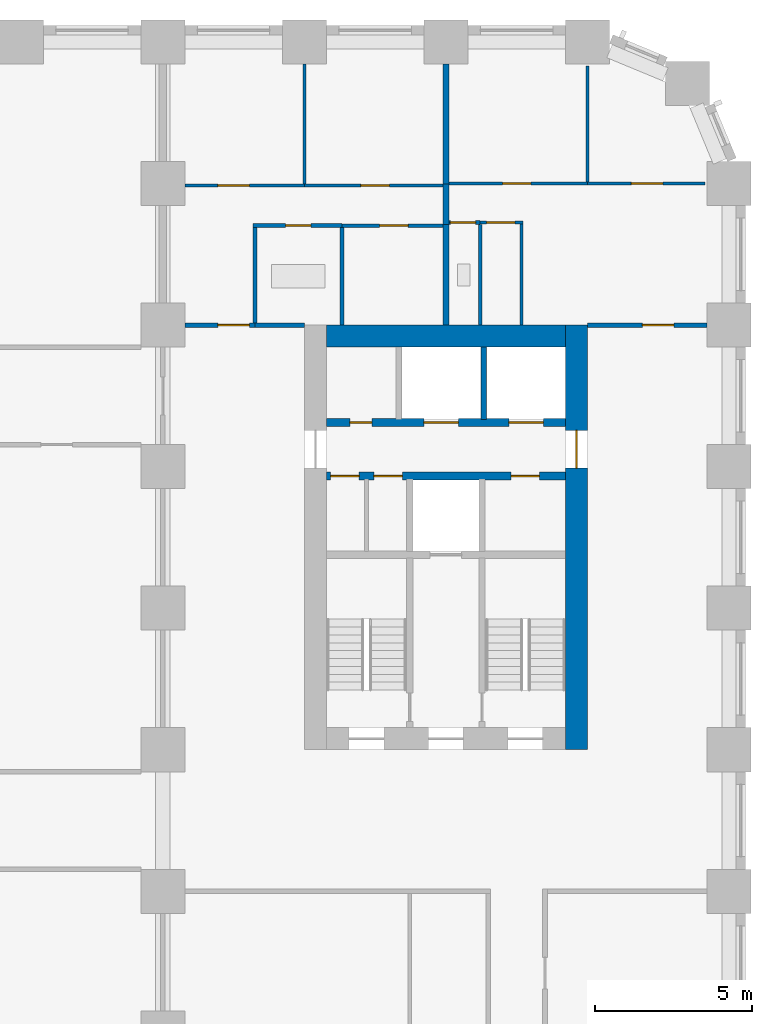
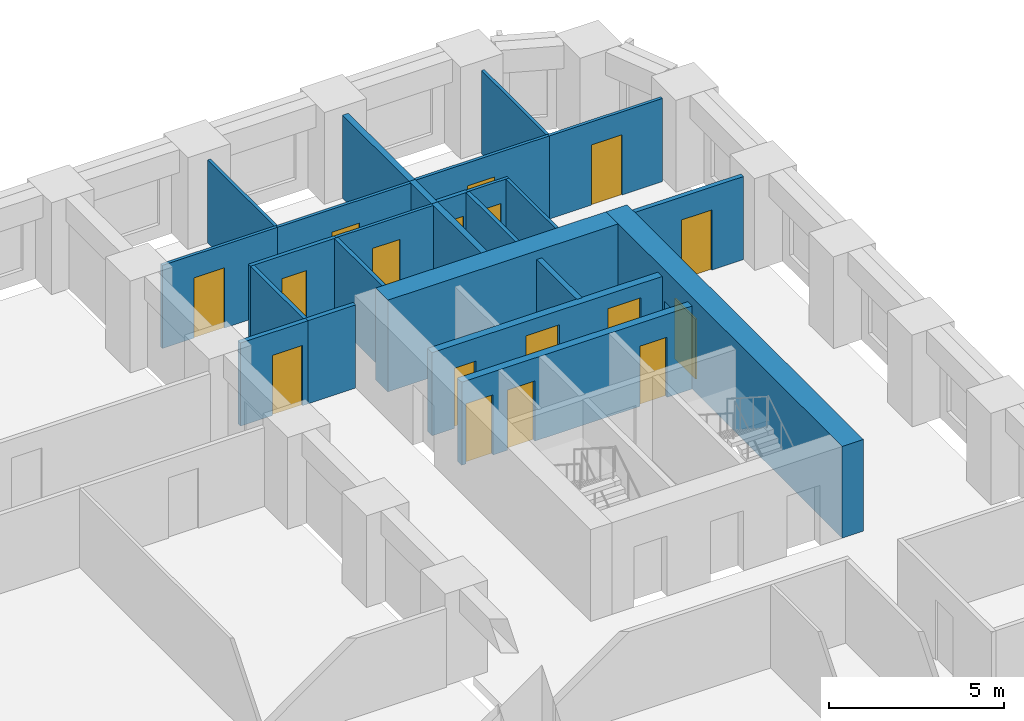
# One storey, part 8 of 12: 25 walls, 17 doors, 17 openings.
"""IFC4 building model written with IfcOpenShell, lengths in metres."""

from ifc_helpers import new_model, si_unit, direction, frame, frame_2d, origin, place, context, subcontext, project, spatial, rectangle, extrude, material, layer, layer_set, type_object, element, fill, save


model = new_model("IFC4")

# Units and contexts
model_context = context("Model", 3, precision=1e-05, world=origin(), true_north=direction((0.0, 1.0)))
body_context = subcontext(model_context, "Body", "Model", "MODEL_VIEW")
ifc_project = project(units=[si_unit("LENGTHUNIT", "METRE"), si_unit("AREAUNIT", "SQUARE_METRE"), si_unit("VOLUMEUNIT", "CUBIC_METRE"), si_unit("PLANEANGLEUNIT", "RADIAN"), si_unit("MASSUNIT", "GRAM", prefix="KILO")], contexts=[model_context])

# Site, building, storey
site_placement = place(None, origin())
site = spatial("IfcSite", under=ifc_project, at=site_placement, CompositionType="ELEMENT")
building_placement = place(site_placement, origin())
building = spatial("IfcBuilding", under=site, at=building_placement, Name="Girih Gate Residences", CompositionType="ELEMENT")
storey_placement = place(building_placement, frame((0.0, 0.0, 33.60009765625)))
storey = spatial("IfcBuildingStorey", under=building, at=storey_placement, Name="L07", CompositionType="ELEMENT", Elevation=33.60009765625)

# Wall, opening, door
ifc_material_1 = material(Name="Gypsum board on steel studs", Category="steel")
ifc_layer_1 = layer(ifc_material_1, 0.14990234375)
ifc_layer_set_1 = layer_set([ifc_layer_1], Name="Compartment wall 150 mm")
wall_type_1 = type_object("IfcWallType", Name="Compartment wall 150 mm", PredefinedType="PARTITIONING", material=ifc_layer_set_1)
wall_1_placement = place(storey_placement, frame((45.0, 40.5, 0.0), z_axis=(0.0, 0.0, 1.0), x_axis=(1.0, 0.0, 0.0)))
wall_1 = element("IfcWall", 1, at=wall_1_placement, inside=storey, type_object=wall_type_1, Name="L07 partition", PredefinedType="PARTITIONING", context=body_context, shape_type="SweptSolid", body=[
    extrude(rectangle(XDim=3.800048828125, YDim=0.14990234375, at=frame_2d((1.89990234375, 0.0))), origin(), (0.0, 0.0, 1.0), 2.89990234375),
])
opening_1_placement = place(wall_1_placement, frame((1.75, 0.0, 0.0)))
opening_1 = element("IfcOpeningElement", 2, at=opening_1_placement, cuts=wall_1, Name="Opening A07-029", PredefinedType="OPENING", context=body_context, shape_type="SweptSolid", body=[
    extrude(rectangle(XDim=1.0, YDim=2.10009765625, at=frame_2d((0.5, 1.050048828125))), frame((0.0, 0.0849609375, 0.0), z_axis=(0.0, -1.0, 0.0), x_axis=(1.0, 0.0, 0.0)), (0.0, 0.0, 1.0), 0.169921875),
])
ifc_material_2 = material(Name="Timber, fire-rated core", Category="wood")
door_type_1 = type_object("IfcDoorType", Name="Flat entrance door 1000x2100 FD30S", OperationType="NOTDEFINED", PredefinedType="DOOR", material=ifc_material_2)
door_1_placement = place(opening_1_placement, origin())
door_1 = element("IfcDoor", 3, at=door_1_placement, inside=storey, type_object=door_type_1, Name="Door A07-029", OperationType="SINGLE_SWING_RIGHT", OverallHeight=2.10009765625, OverallWidth=1.0, PredefinedType="DOOR", context=body_context, shape_type="SweptSolid", body=[
    extrude(rectangle(XDim=1.0, YDim=2.10009765625, at=frame_2d((0.5, 1.050048828125))), frame((0.0, 0.02490234375, 0.0), z_axis=(0.0, -1.0, 0.0), x_axis=(1.0, 0.0, 0.0)), (0.0, 0.0, 1.0), 0.050048828125),
])
fill(opening_1, door_1)

# Wall
wall_2_placement = place(storey_placement, frame((34.425048828125, 40.5, 0.0), z_axis=(0.0, 0.0, 1.0), x_axis=(1.0, 0.0, 0.0)))
element("IfcWall", 4, at=wall_2_placement, inside=storey, type_object=wall_type_1, Name="L07 partition", PredefinedType="PARTITIONING", context=body_context, shape_type="SweptSolid", body=[
    extrude(rectangle(XDim=1.574951171875, YDim=0.14990234375, at=frame_2d((0.78759765625, 0.0))), origin(), (0.0, 0.0, 1.0), 2.89990234375),
])

# Wall, opening, door
wall_3_placement = place(storey_placement, frame((32.199951171875, 40.5, 0.0), z_axis=(0.0, 0.0, 1.0), x_axis=(1.0, 0.0, 0.0)))
wall_3 = element("IfcWall", 5, at=wall_3_placement, inside=storey, type_object=wall_type_1, Name="L07 partition", PredefinedType="PARTITIONING", context=body_context, shape_type="SweptSolid", body=[
    extrude(rectangle(XDim=2.22509765625, YDim=0.14990234375, at=frame_2d((1.112548828125, 0.0))), origin(), (0.0, 0.0, 1.0), 2.89990234375),
])
opening_2_placement = place(wall_3_placement, frame((1.050048828125, 0.0, 0.0)))
opening_2 = element("IfcOpeningElement", 6, at=opening_2_placement, cuts=wall_3, Name="Opening A07-034", PredefinedType="OPENING", context=body_context, shape_type="SweptSolid", body=[
    extrude(rectangle(XDim=1.0, YDim=2.10009765625, at=frame_2d((0.5, 1.050048828125))), frame((0.0, 0.0849609375, 0.0), z_axis=(0.0, -1.0, 0.0), x_axis=(1.0, 0.0, 0.0)), (0.0, 0.0, 1.0), 0.169921875),
])
door_2_placement = place(opening_2_placement, origin())
door_2 = element("IfcDoor", 7, at=door_2_placement, inside=storey, type_object=door_type_1, Name="Door A07-034", OperationType="SINGLE_SWING_RIGHT", OverallHeight=2.10009765625, OverallWidth=1.0, PredefinedType="DOOR", context=body_context, shape_type="SweptSolid", body=[
    extrude(rectangle(XDim=1.0, YDim=2.10009765625, at=frame_2d((0.5, 1.050048828125))), frame((0.0, 0.02490234375, 0.0), z_axis=(0.0, -1.0, 0.0), x_axis=(1.0, 0.0, 0.0)), (0.0, 0.0, 1.0), 0.050048828125),
])
fill(opening_2, door_2)

# Wall
ifc_material_3 = material(Name="Concrete C60/75", Category="concrete")
ifc_layer_2 = layer(ifc_material_3, 0.699951171875)
ifc_layer_set_2 = layer_set([ifc_layer_2], Name="Core wall RC 700 Concrete C60/75")
wall_type_2 = type_object("IfcWallType", Name="Core wall RC 700 Concrete C60/75", PredefinedType="SOLIDWALL", material=ifc_layer_set_2)
wall_4_placement = place(storey_placement, frame((36.699951171875, 40.14990234375, 0.0), z_axis=(0.0, 0.0, 1.0), x_axis=(1.0, 0.0, 0.0)))
element("IfcWall", 8, at=wall_4_placement, inside=storey, type_object=wall_type_2, Name="Core wall E-N L07", PredefinedType="SOLIDWALL", context=body_context, shape_type="SweptSolid", body=[
    extrude(rectangle(XDim=7.60009765625, YDim=0.699951171875, at=frame_2d((3.800048828125, 0.0))), origin(), (0.0, 0.0, 1.0), 3.199951171875),
])

# Wall, opening, door
wall_5_placement = place(storey_placement, frame((44.64990234375, 27.0, 0.0), z_axis=(0.0, 0.0, 1.0), x_axis=(0.0, 1.0, 0.0)))
wall_5 = element("IfcWall", 9, at=wall_5_placement, inside=storey, type_object=wall_type_2, Name="Core wall E-E L07", PredefinedType="SOLIDWALL", context=body_context, shape_type="SweptSolid", body=[
    extrude(rectangle(XDim=13.5, YDim=0.699951171875, at=frame_2d((6.75, 0.0))), origin(), (0.0, 0.0, 1.0), 3.199951171875),
])
opening_3_placement = place(wall_5_placement, frame((8.949951171875, 0.0, 0.0)))
opening_3 = element("IfcOpeningElement", 10, at=opening_3_placement, cuts=wall_5, Name="Opening D-L07-E-014", PredefinedType="OPENING", context=body_context, shape_type="SweptSolid", body=[
    extrude(rectangle(XDim=1.199951171875, YDim=2.10009765625, at=frame_2d((0.60009765625, 1.050048828125))), frame((0.0, 0.35986328125, 0.0), z_axis=(0.0, -1.0, 0.0), x_axis=(1.0, 0.0, 0.0)), (0.0, 0.0, 1.0), 0.719970703125),
])
ifc_material_4 = material(Name="Painted steel, fire-resisting", Category="steel")
door_type_2 = type_object("IfcDoorType", Name="Fire door 1200x2100", OperationType="SINGLE_SWING_LEFT", PredefinedType="DOOR", material=ifc_material_4)
door_3_placement = place(opening_3_placement, origin())
door_3 = element("IfcDoor", 11, at=door_3_placement, inside=storey, type_object=door_type_2, Name="L07 E core door ll-e", OperationType="SINGLE_SWING_LEFT", OverallHeight=2.10009765625, OverallWidth=1.199951171875, PredefinedType="DOOR", context=body_context, shape_type="SweptSolid", body=[
    extrude(rectangle(XDim=1.199951171875, YDim=2.10009765625, at=frame_2d((0.60009765625, 1.050048828125))), frame((0.0, 0.02490234375, 0.0), z_axis=(0.0, -1.0, 0.0), x_axis=(1.0, 0.0, 0.0)), (0.0, 0.0, 1.0), 0.050048828125),
])
fill(opening_3, door_3)

# Wall, openings, doors
ifc_material_5 = material(Name="Concrete C40/50", Category="concrete")
ifc_layer_3 = layer(ifc_material_5, 0.25)
ifc_layer_set_3 = layer_set([ifc_layer_3], Name="Lift shaft wall 250")
wall_type_3 = type_object("IfcWallType", Name="Lift shaft wall 250", PredefinedType="SOLIDWALL", material=ifc_layer_set_3)
wall_6_placement = place(storey_placement, frame((36.699951171875, 35.699951171875, 0.0), z_axis=(0.0, 0.0, 1.0), x_axis=(1.0, 0.0, 0.0)))
wall_6 = element("IfcWall", 12, at=wall_6_placement, inside=storey, type_object=wall_type_3, Name="L07 E core wall H2", PredefinedType="SOLIDWALL", context=body_context, shape_type="SweptSolid", body=[
    extrude(rectangle(XDim=7.60009765625, YDim=0.25, at=frame_2d((3.800048828125, 0.0))), origin(), (0.0, 0.0, 1.0), 2.89990234375),
])
opening_4_placement = place(wall_6_placement, frame((5.875, 0.0, 0.0)))
opening_4 = element("IfcOpeningElement", 13, at=opening_4_placement, cuts=wall_6, Name="Opening D-L07-E-007", PredefinedType="OPENING", context=body_context, shape_type="SweptSolid", body=[
    extrude(rectangle(XDim=0.89990234375, YDim=2.10009765625, at=frame_2d((0.449951171875, 1.050048828125))), frame((0.0, 0.135009765625, 0.0), z_axis=(0.0, -1.0, 0.0), x_axis=(1.0, 0.0, 0.0)), (0.0, 0.0, 1.0), 0.27001953125),
])
opening_5_placement = place(wall_6_placement, frame((1.512451171875, 0.0, 0.0)))
opening_5 = element("IfcOpeningElement", 14, at=opening_5_placement, cuts=wall_6, Name="Opening D-L07-E-008", PredefinedType="OPENING", context=body_context, shape_type="SweptSolid", body=[
    extrude(rectangle(XDim=0.89990234375, YDim=2.10009765625, at=frame_2d((0.449951171875, 1.050048828125))), frame((0.0, 0.135009765625, 0.0), z_axis=(0.0, -1.0, 0.0), x_axis=(1.0, 0.0, 0.0)), (0.0, 0.0, 1.0), 0.27001953125),
])
opening_6_placement = place(wall_6_placement, frame((0.137451171875, 0.0, 0.0)))
opening_6 = element("IfcOpeningElement", 15, at=opening_6_placement, cuts=wall_6, Name="Opening D-L07-E-009", PredefinedType="OPENING", context=body_context, shape_type="SweptSolid", body=[
    extrude(rectangle(XDim=0.89990234375, YDim=2.10009765625, at=frame_2d((0.449951171875, 1.050048828125))), frame((0.0, 0.135009765625, 0.0), z_axis=(0.0, -1.0, 0.0), x_axis=(1.0, 0.0, 0.0)), (0.0, 0.0, 1.0), 0.27001953125),
])
door_type_3 = type_object("IfcDoorType", Name="Fire door 900x2100", OperationType="SINGLE_SWING_LEFT", PredefinedType="DOOR", material=ifc_material_4)
door_4_placement = place(opening_4_placement, origin())
door_4 = element("IfcDoor", 16, at=door_4_placement, inside=storey, type_object=door_type_3, Name="L07 E cleaners store door", OperationType="SINGLE_SWING_LEFT", OverallHeight=2.10009765625, OverallWidth=0.89990234375, PredefinedType="DOOR", context=body_context, shape_type="SweptSolid", body=[
    extrude(rectangle(XDim=0.89990234375, YDim=2.10009765625, at=frame_2d((0.449951171875, 1.050048828125))), frame((0.0, 0.02490234375, 0.0), z_axis=(0.0, -1.0, 0.0), x_axis=(1.0, 0.0, 0.0)), (0.0, 0.0, 1.0), 0.050048828125),
])
fill(opening_4, door_4)
door_5_placement = place(opening_5_placement, origin())
door_5 = element("IfcDoor", 17, at=door_5_placement, inside=storey, type_object=door_type_3, Name="L07 E electrical room door", OperationType="SINGLE_SWING_LEFT", OverallHeight=2.10009765625, OverallWidth=0.89990234375, PredefinedType="DOOR", context=body_context, shape_type="SweptSolid", body=[
    extrude(rectangle(XDim=0.89990234375, YDim=2.10009765625, at=frame_2d((0.449951171875, 1.050048828125))), frame((0.0, 0.02490234375, 0.0), z_axis=(0.0, -1.0, 0.0), x_axis=(1.0, 0.0, 0.0)), (0.0, 0.0, 1.0), 0.050048828125),
])
fill(opening_5, door_5)
door_6_placement = place(opening_6_placement, origin())
door_6 = element("IfcDoor", 18, at=door_6_placement, inside=storey, type_object=door_type_3, Name="L07 E pantry door", OperationType="SINGLE_SWING_LEFT", OverallHeight=2.10009765625, OverallWidth=0.89990234375, PredefinedType="DOOR", context=body_context, shape_type="SweptSolid", body=[
    extrude(rectangle(XDim=0.89990234375, YDim=2.10009765625, at=frame_2d((0.449951171875, 1.050048828125))), frame((0.0, 0.02490234375, 0.0), z_axis=(0.0, -1.0, 0.0), x_axis=(1.0, 0.0, 0.0)), (0.0, 0.0, 1.0), 0.050048828125),
])
fill(opening_6, door_6)

wall_7_placement = place(storey_placement, frame((36.699951171875, 37.39990234375, 0.0), z_axis=(0.0, 0.0, 1.0), x_axis=(1.0, 0.0, 0.0)))
wall_7 = element("IfcWall", 19, at=wall_7_placement, inside=storey, type_object=wall_type_3, Name="L07 E core wall H3", PredefinedType="SOLIDWALL", context=body_context, shape_type="SweptSolid", body=[
    extrude(rectangle(XDim=7.60009765625, YDim=0.25, at=frame_2d((3.800048828125, 0.0))), origin(), (0.0, 0.0, 1.0), 2.89990234375),
])
opening_7_placement = place(wall_7_placement, frame((5.800048828125, 0.0, 0.0)))
opening_7 = element("IfcOpeningElement", 20, at=opening_7_placement, cuts=wall_7, Name="Opening D-L07-E-003", PredefinedType="OPENING", context=body_context, shape_type="SweptSolid", body=[
    extrude(rectangle(XDim=1.10009765625, YDim=2.39990234375, at=frame_2d((0.550048828125, 1.199951171875))), frame((0.0, 0.135009765625, 0.0), z_axis=(0.0, -1.0, 0.0), x_axis=(1.0, 0.0, 0.0)), (0.0, 0.0, 1.0), 0.27001953125),
])
opening_8_placement = place(wall_7_placement, frame((3.10009765625, 0.0, 0.0)))
opening_8 = element("IfcOpeningElement", 21, at=opening_8_placement, cuts=wall_7, Name="Opening D-L07-E-004", PredefinedType="OPENING", context=body_context, shape_type="SweptSolid", body=[
    extrude(rectangle(XDim=1.10009765625, YDim=2.39990234375, at=frame_2d((0.550048828125, 1.199951171875))), frame((0.0, 0.135009765625, 0.0), z_axis=(0.0, -1.0, 0.0), x_axis=(1.0, 0.0, 0.0)), (0.0, 0.0, 1.0), 0.27001953125),
])
opening_9_placement = place(wall_7_placement, frame((0.75, 0.0, 0.0)))
opening_9 = element("IfcOpeningElement", 22, at=opening_9_placement, cuts=wall_7, Name="Opening D-L07-E-006", PredefinedType="OPENING", context=body_context, shape_type="SweptSolid", body=[
    extrude(rectangle(XDim=0.699951171875, YDim=2.10009765625, at=frame_2d((0.35009765625, 1.050048828125))), frame((0.0, 0.135009765625, 0.0), z_axis=(0.0, -1.0, 0.0), x_axis=(1.0, 0.0, 0.0)), (0.0, 0.0, 1.0), 0.27001953125),
])
ifc_material_6 = material(Name="Stainless steel", Category="steel")
door_type_4 = type_object("IfcDoorType", Name="Lift landing door 1100x2400", OperationType="SLIDING_TO_LEFT", PredefinedType="DOOR", material=ifc_material_6)
door_7_placement = place(opening_7_placement, origin())
door_7 = element("IfcDoor", 23, at=door_7_placement, inside=storey, type_object=door_type_4, Name="L07 lift LR-E1 landing door", OperationType="SLIDING_TO_LEFT", OverallHeight=2.39990234375, OverallWidth=1.10009765625, PredefinedType="DOOR", context=body_context, shape_type="SweptSolid", body=[
    extrude(rectangle(XDim=1.10009765625, YDim=2.39990234375, at=frame_2d((0.550048828125, 1.199951171875))), frame((0.0, 0.02490234375, 0.0), z_axis=(0.0, -1.0, 0.0), x_axis=(1.0, 0.0, 0.0)), (0.0, 0.0, 1.0), 0.050048828125),
])
fill(opening_7, door_7)
door_8_placement = place(opening_8_placement, origin())
door_8 = element("IfcDoor", 24, at=door_8_placement, inside=storey, type_object=door_type_4, Name="L07 lift LR-E2 landing door", OperationType="SLIDING_TO_LEFT", OverallHeight=2.39990234375, OverallWidth=1.10009765625, PredefinedType="DOOR", context=body_context, shape_type="SweptSolid", body=[
    extrude(rectangle(XDim=1.10009765625, YDim=2.39990234375, at=frame_2d((0.550048828125, 1.199951171875))), frame((0.0, 0.02490234375, 0.0), z_axis=(0.0, -1.0, 0.0), x_axis=(1.0, 0.0, 0.0)), (0.0, 0.0, 1.0), 0.050048828125),
])
fill(opening_8, door_8)
door_type_5 = type_object("IfcDoorType", Name="Riser access door 700x2100", OperationType="SINGLE_SWING_LEFT", PredefinedType="DOOR", material=ifc_material_4)
door_9_placement = place(opening_9_placement, origin())
door_9 = element("IfcDoor", 25, at=door_9_placement, inside=storey, type_object=door_type_5, Name="L07 E riser room door", OperationType="SINGLE_SWING_LEFT", OverallHeight=2.10009765625, OverallWidth=0.699951171875, PredefinedType="DOOR", context=body_context, shape_type="SweptSolid", body=[
    extrude(rectangle(XDim=0.699951171875, YDim=2.10009765625, at=frame_2d((0.35009765625, 1.050048828125))), frame((0.0, 0.02490234375, 0.0), z_axis=(0.0, -1.0, 0.0), x_axis=(1.0, 0.0, 0.0)), (0.0, 0.0, 1.0), 0.050048828125),
])
fill(opening_9, door_9)

# Wall, opening, door
ifc_layer_4 = layer(ifc_material_1, 0.10009765625)
ifc_layer_set_4 = layer_set([ifc_layer_4], Name="Partition 100 mm")
wall_type_4 = type_object("IfcWallType", Name="Partition 100 mm", PredefinedType="PARTITIONING", material=ifc_layer_set_4)
wall_8_placement = place(storey_placement, frame((40.60009765625, 45.0, 0.0), z_axis=(0.0, 0.0, 1.0), x_axis=(1.0, 0.0, 0.0)))
wall_8 = element("IfcWall", 26, at=wall_8_placement, inside=storey, type_object=wall_type_4, Name="L07 partition", PredefinedType="PARTITIONING", context=body_context, shape_type="SweptSolid", body=[
    extrude(rectangle(XDim=4.39990234375, YDim=0.10009765625, at=frame_2d((2.199951171875, 0.0))), origin(), (0.0, 0.0, 1.0), 2.89990234375),
])
opening_10_placement = place(wall_8_placement, frame((1.699951171875, 0.0, 0.0)))
opening_10 = element("IfcOpeningElement", 27, at=opening_10_placement, cuts=wall_8, Name="Opening A07-026", PredefinedType="OPENING", context=body_context, shape_type="SweptSolid", body=[
    extrude(rectangle(XDim=0.89990234375, YDim=2.10009765625, at=frame_2d((0.449951171875, 1.050048828125))), frame((0.0, 0.06005859375, 0.0), z_axis=(0.0, -1.0, 0.0), x_axis=(1.0, 0.0, 0.0)), (0.0, 0.0, 1.0), 0.1201171875),
])
ifc_material_7 = material(Name="Timber", Category="wood")
door_type_6 = type_object("IfcDoorType", Name="Bedroom door 900x2100", OperationType="NOTDEFINED", PredefinedType="DOOR", material=ifc_material_7)
door_10_placement = place(opening_10_placement, origin())
door_10 = element("IfcDoor", 28, at=door_10_placement, inside=storey, type_object=door_type_6, Name="Door A07-026", OperationType="SINGLE_SWING_LEFT", OverallHeight=2.10009765625, OverallWidth=0.89990234375, PredefinedType="DOOR", context=body_context, shape_type="SweptSolid", body=[
    extrude(rectangle(XDim=0.89990234375, YDim=2.10009765625, at=frame_2d((0.449951171875, 1.050048828125))), frame((0.0, 0.02490234375, 0.0), z_axis=(0.0, -1.0, 0.0), x_axis=(1.0, 0.0, 0.0)), (0.0, 0.0, 1.0), 0.050048828125),
])
fill(opening_10, door_10)

# Walls
wall_9_placement = place(storey_placement, frame((45.0, 45.050048828125, 0.0), z_axis=(0.0, 0.0, 1.0), x_axis=(0.0, 1.0, 0.0)))
element("IfcWall", 29, at=wall_9_placement, inside=storey, type_object=wall_type_4, Name="L07 partition", PredefinedType="PARTITIONING", context=body_context, shape_type="SweptSolid", body=[
    extrude(rectangle(XDim=3.6923828125, YDim=0.10009765625, at=frame_2d((1.84619140625, 0.0))), origin(), (0.0, 0.0, 1.0), 2.89990234375),
])
wall_10_placement = place(storey_placement, frame((42.89990234375, 40.5, 0.0), z_axis=(0.0, 0.0, 1.0), x_axis=(0.0, 1.0, 0.0)))
element("IfcWall", 30, at=wall_10_placement, inside=storey, type_object=wall_type_4, Name="L07 partition", PredefinedType="PARTITIONING", context=body_context, shape_type="SweptSolid", body=[
    extrude(rectangle(XDim=3.2099609375, YDim=0.10009765625, at=frame_2d((1.60498046875, 0.0))), origin(), (0.0, 0.0, 1.0), 2.89990234375),
])

# Wall, opening, door
wall_11_placement = place(storey_placement, frame((42.949951171875, 43.760009765625, 0.0), z_axis=(0.0, 0.0, 1.0), x_axis=(-1.0, 0.0, 0.0)))
wall_11 = element("IfcWall", 31, at=wall_11_placement, inside=storey, type_object=wall_type_4, Name="L07 partition", PredefinedType="PARTITIONING", context=body_context, shape_type="SweptSolid", body=[
    extrude(rectangle(XDim=1.359130859375, YDim=0.10009765625, at=frame_2d((0.6796875, 0.0))), origin(), (0.0, 0.0, 1.0), 2.89990234375),
])
opening_11_placement = place(wall_11_placement, frame((0.25439453125, 0.0, 0.0)))
opening_11 = element("IfcOpeningElement", 32, at=opening_11_placement, cuts=wall_11, Name="Opening A07-027", PredefinedType="OPENING", context=body_context, shape_type="SweptSolid", body=[
    extrude(rectangle(XDim=0.89990234375, YDim=2.10009765625, at=frame_2d((0.449951171875, 1.050048828125))), frame((0.0, 0.06005859375, 0.0), z_axis=(0.0, -1.0, 0.0), x_axis=(1.0, 0.0, 0.0)), (0.0, 0.0, 1.0), 0.1201171875),
])
door_type_7 = type_object("IfcDoorType", Name="Kitchen door 900x2100", OperationType="NOTDEFINED", PredefinedType="DOOR", material=ifc_material_7)
door_11_placement = place(opening_11_placement, origin())
door_11 = element("IfcDoor", 33, at=door_11_placement, inside=storey, type_object=door_type_7, Name="Door A07-027", OperationType="SINGLE_SWING_RIGHT", OverallHeight=2.10009765625, OverallWidth=0.89990234375, PredefinedType="DOOR", context=body_context, shape_type="SweptSolid", body=[
    extrude(rectangle(XDim=0.89990234375, YDim=2.10009765625, at=frame_2d((0.449951171875, 1.050048828125))), frame((0.0, 0.02490234375, 0.0), z_axis=(0.0, -1.0, 0.0), x_axis=(1.0, 0.0, 0.0)), (0.0, 0.0, 1.0), 0.050048828125),
])
fill(opening_11, door_11)

wall_12_placement = place(storey_placement, frame((45.0, 45.0, 0.0), z_axis=(0.0, 0.0, 1.0), x_axis=(1.0, 0.0, 0.0)))
wall_12 = element("IfcWall", 34, at=wall_12_placement, inside=storey, type_object=wall_type_4, Name="L07 partition", PredefinedType="PARTITIONING", context=body_context, shape_type="SweptSolid", body=[
    extrude(rectangle(XDim=3.742431640625, YDim=0.10009765625, at=frame_2d((1.87109375, 0.0))), origin(), (0.0, 0.0, 1.0), 2.89990234375),
])
opening_12_placement = place(wall_12_placement, frame((1.39990234375, 0.0, 0.0)))
opening_12 = element("IfcOpeningElement", 35, at=opening_12_placement, cuts=wall_12, Name="Opening A07-028", PredefinedType="OPENING", context=body_context, shape_type="SweptSolid", body=[
    extrude(rectangle(XDim=1.0, YDim=2.10009765625, at=frame_2d((0.5, 1.050048828125))), frame((0.0, 0.06005859375, 0.0), z_axis=(0.0, -1.0, 0.0), x_axis=(1.0, 0.0, 0.0)), (0.0, 0.0, 1.0), 0.1201171875),
])
door_type_8 = type_object("IfcDoorType", Name="Living room door 1000x2100", OperationType="NOTDEFINED", PredefinedType="DOOR", material=ifc_material_7)
door_12_placement = place(opening_12_placement, origin())
door_12 = element("IfcDoor", 36, at=door_12_placement, inside=storey, type_object=door_type_8, Name="Door A07-028", OperationType="SINGLE_SWING_RIGHT", OverallHeight=2.10009765625, OverallWidth=1.0, PredefinedType="DOOR", context=body_context, shape_type="SweptSolid", body=[
    extrude(rectangle(XDim=1.0, YDim=2.10009765625, at=frame_2d((0.5, 1.050048828125))), frame((0.0, 0.02490234375, 0.0), z_axis=(0.0, -1.0, 0.0), x_axis=(1.0, 0.0, 0.0)), (0.0, 0.0, 1.0), 0.050048828125),
])
fill(opening_12, door_12)

wall_13_placement = place(storey_placement, frame((36.0, 44.93994140625, 0.0), z_axis=(0.0, 0.0, 1.0), x_axis=(1.0, 0.0, 0.0)))
wall_13 = element("IfcWall", 37, at=wall_13_placement, inside=storey, type_object=wall_type_4, Name="L07 partition", PredefinedType="PARTITIONING", context=body_context, shape_type="SweptSolid", body=[
    extrude(rectangle(XDim=4.39990234375, YDim=0.10009765625, at=frame_2d((2.199951171875, 0.0))), origin(), (0.0, 0.0, 1.0), 2.89990234375),
])
opening_13_placement = place(wall_13_placement, frame((1.800048828125, 0.0, 0.0)))
opening_13 = element("IfcOpeningElement", 38, at=opening_13_placement, cuts=wall_13, Name="Opening A07-031", PredefinedType="OPENING", context=body_context, shape_type="SweptSolid", body=[
    extrude(rectangle(XDim=0.89990234375, YDim=2.10009765625, at=frame_2d((0.449951171875, 1.050048828125))), frame((0.0, 0.06005859375, 0.0), z_axis=(0.0, -1.0, 0.0), x_axis=(1.0, 0.0, 0.0)), (0.0, 0.0, 1.0), 0.1201171875),
])
door_13_placement = place(opening_13_placement, origin())
door_13 = element("IfcDoor", 39, at=door_13_placement, inside=storey, type_object=door_type_6, Name="Door A07-031", OperationType="SINGLE_SWING_RIGHT", OverallHeight=2.10009765625, OverallWidth=0.89990234375, PredefinedType="DOOR", context=body_context, shape_type="SweptSolid", body=[
    extrude(rectangle(XDim=0.89990234375, YDim=2.10009765625, at=frame_2d((0.449951171875, 1.050048828125))), frame((0.0, 0.02490234375, 0.0), z_axis=(0.0, -1.0, 0.0), x_axis=(1.0, 0.0, 0.0)), (0.0, 0.0, 1.0), 0.050048828125),
])
fill(opening_13, door_13)

# Wall
wall_14_placement = place(storey_placement, frame((36.0, 44.989990234375, 0.0), z_axis=(0.0, 0.0, 1.0), x_axis=(0.0, 1.0, 0.0)))
element("IfcWall", 40, at=wall_14_placement, inside=storey, type_object=wall_type_4, Name="L07 partition", PredefinedType="PARTITIONING", context=body_context, shape_type="SweptSolid", body=[
    extrude(rectangle(XDim=3.81005859375, YDim=0.10009765625, at=frame_2d((1.905029296875, 0.0))), origin(), (0.0, 0.0, 1.0), 2.89990234375),
])

# Wall, opening, door
wall_15_placement = place(storey_placement, frame((40.39990234375, 43.659912109375, 0.0), z_axis=(0.0, 0.0, 1.0), x_axis=(-1.0, 0.0, 0.0)))
wall_15 = element("IfcWall", 41, at=wall_15_placement, inside=storey, type_object=wall_type_4, Name="L07 partition", PredefinedType="PARTITIONING", context=body_context, shape_type="SweptSolid", body=[
    extrude(rectangle(XDim=3.20947265625, YDim=0.10009765625, at=frame_2d((1.604736328125, 0.0))), origin(), (0.0, 0.0, 1.0), 2.89990234375),
])
opening_14_placement = place(wall_15_placement, frame((1.104736328125, 0.0, 0.0)))
opening_14 = element("IfcOpeningElement", 42, at=opening_14_placement, cuts=wall_15, Name="Opening A07-032", PredefinedType="OPENING", context=body_context, shape_type="SweptSolid", body=[
    extrude(rectangle(XDim=0.89990234375, YDim=2.10009765625, at=frame_2d((0.449951171875, 1.050048828125))), frame((0.0, 0.06005859375, 0.0), z_axis=(0.0, -1.0, 0.0), x_axis=(1.0, 0.0, 0.0)), (0.0, 0.0, 1.0), 0.1201171875),
])
door_14_placement = place(opening_14_placement, origin())
door_14 = element("IfcDoor", 43, at=door_14_placement, inside=storey, type_object=door_type_7, Name="Door A07-032", OperationType="SINGLE_SWING_LEFT", OverallHeight=2.10009765625, OverallWidth=0.89990234375, PredefinedType="DOOR", context=body_context, shape_type="SweptSolid", body=[
    extrude(rectangle(XDim=0.89990234375, YDim=2.10009765625, at=frame_2d((0.449951171875, 1.050048828125))), frame((0.0, 0.02490234375, 0.0), z_axis=(0.0, -1.0, 0.0), x_axis=(1.0, 0.0, 0.0)), (0.0, 0.0, 1.0), 0.050048828125),
])
fill(opening_14, door_14)

wall_16_placement = place(storey_placement, frame((32.199951171875, 44.93994140625, 0.0), z_axis=(0.0, 0.0, 1.0), x_axis=(1.0, 0.0, 0.0)))
wall_16 = element("IfcWall", 44, at=wall_16_placement, inside=storey, type_object=wall_type_4, Name="L07 partition", PredefinedType="PARTITIONING", context=body_context, shape_type="SweptSolid", body=[
    extrude(rectangle(XDim=3.800048828125, YDim=0.10009765625, at=frame_2d((1.89990234375, 0.0))), origin(), (0.0, 0.0, 1.0), 2.89990234375),
])
opening_15_placement = place(wall_16_placement, frame((1.050048828125, 0.0, 0.0)))
opening_15 = element("IfcOpeningElement", 45, at=opening_15_placement, cuts=wall_16, Name="Opening A07-033", PredefinedType="OPENING", context=body_context, shape_type="SweptSolid", body=[
    extrude(rectangle(XDim=1.0, YDim=2.10009765625, at=frame_2d((0.5, 1.050048828125))), frame((0.0, 0.06005859375, 0.0), z_axis=(0.0, -1.0, 0.0), x_axis=(1.0, 0.0, 0.0)), (0.0, 0.0, 1.0), 0.1201171875),
])
door_15_placement = place(opening_15_placement, origin())
door_15 = element("IfcDoor", 46, at=door_15_placement, inside=storey, type_object=door_type_8, Name="Door A07-033", OperationType="SINGLE_SWING_LEFT", OverallHeight=2.10009765625, OverallWidth=1.0, PredefinedType="DOOR", context=body_context, shape_type="SweptSolid", body=[
    extrude(rectangle(XDim=1.0, YDim=2.10009765625, at=frame_2d((0.5, 1.050048828125))), frame((0.0, 0.02490234375, 0.0), z_axis=(0.0, -1.0, 0.0), x_axis=(1.0, 0.0, 0.0)), (0.0, 0.0, 1.0), 0.050048828125),
])
fill(opening_15, door_15)

# Walls
ifc_layer_5 = layer(ifc_material_1, 0.199951171875)
ifc_layer_set_5 = layer_set([ifc_layer_5], Name="Party wall 200 mm")
wall_type_5 = type_object("IfcWallType", Name="Party wall 200 mm", PredefinedType="PARTITIONING", material=ifc_layer_set_5)
wall_17_placement = place(storey_placement, frame((40.5, 40.5, 0.0), z_axis=(0.0, 0.0, 1.0), x_axis=(0.0, 1.0, 0.0)))
element("IfcWall", 47, at=wall_17_placement, inside=storey, type_object=wall_type_5, Name="L07 partition", PredefinedType="PARTITIONING", context=body_context, shape_type="SweptSolid", body=[
    extrude(rectangle(XDim=3.2099609375, YDim=0.199951171875, at=frame_2d((1.60498046875, 0.0))), origin(), (0.0, 0.0, 1.0), 2.89990234375),
])
wall_18_placement = place(storey_placement, frame((40.5, 44.949951171875, 0.0), z_axis=(0.0, 0.0, 1.0), x_axis=(0.0, 1.0, 0.0)))
element("IfcWall", 48, at=wall_18_placement, inside=storey, type_object=wall_type_5, Name="L07 partition", PredefinedType="PARTITIONING", context=body_context, shape_type="SweptSolid", body=[
    extrude(rectangle(XDim=3.85009765625, YDim=0.199951171875, at=frame_2d((1.925048828125, 0.0))), origin(), (0.0, 0.0, 1.0), 2.89990234375),
])
wall_19_placement = place(storey_placement, frame((40.5, 43.697509765625, 0.0), z_axis=(0.0, 0.0, 1.0), x_axis=(0.0, 1.0, 0.0)))
element("IfcWall", 49, at=wall_19_placement, inside=storey, type_object=wall_type_5, Name="L07 partition", PredefinedType="PARTITIONING", context=body_context, shape_type="SweptSolid", body=[
    extrude(rectangle(XDim=1.29248046875, YDim=0.199951171875, at=frame_2d((0.646240234375, 0.0))), origin(), (0.0, 0.0, 1.0), 2.89990234375),
])
ifc_layer_6 = layer(ifc_material_5, 0.175048828125)
ifc_layer_set_6 = layer_set([ifc_layer_6], Name="Riser shaft wall 175")
wall_type_6 = type_object("IfcWallType", Name="Riser shaft wall 175", PredefinedType="SOLIDWALL", material=ifc_layer_set_6)
wall_20_placement = place(storey_placement, frame((41.699951171875, 37.5, 0.0), z_axis=(0.0, 0.0, 1.0), x_axis=(0.0, 1.0, 0.0)))
element("IfcWall", 50, at=wall_20_placement, inside=storey, type_object=wall_type_6, Name="L07 E core wall V1c", PredefinedType="SOLIDWALL", context=body_context, shape_type="SweptSolid", body=[
    extrude(rectangle(XDim=2.300048828125, YDim=0.175048828125, at=frame_2d((1.14990234375, 0.0))), origin(), (0.0, 0.0, 1.0), 2.89990234375),
])

# Wall, opening, door
ifc_layer_7 = layer(ifc_material_1, 0.125)
ifc_layer_set_7 = layer_set([ifc_layer_7], Name="Wet room wall 125 mm")
wall_type_7 = type_object("IfcWallType", Name="Wet room wall 125 mm", PredefinedType="PARTITIONING", material=ifc_layer_set_7)
wall_21_placement = place(storey_placement, frame((41.5908203125, 43.760009765625, 0.0), z_axis=(0.0, 0.0, 1.0), x_axis=(-1.0, 0.0, 0.0)))
wall_21 = element("IfcWall", 51, at=wall_21_placement, inside=storey, type_object=wall_type_7, Name="L07 partition", PredefinedType="PARTITIONING", context=body_context, shape_type="SweptSolid", body=[
    extrude(rectangle(XDim=0.99072265625, YDim=0.125, at=frame_2d((0.495361328125, 0.0))), origin(), (0.0, 0.0, 1.0), 2.89990234375),
])
opening_16_placement = place(wall_21_placement, frame((0.1455078125, 0.0, 0.0)))
opening_16 = element("IfcOpeningElement", 52, at=opening_16_placement, cuts=wall_21, Name="Opening A07-025", PredefinedType="OPENING", context=body_context, shape_type="SweptSolid", body=[
    extrude(rectangle(XDim=0.800048828125, YDim=2.10009765625, at=frame_2d((0.39990234375, 1.050048828125))), frame((0.0, 0.072509765625, 0.0), z_axis=(0.0, -1.0, 0.0), x_axis=(1.0, 0.0, 0.0)), (0.0, 0.0, 1.0), 0.14501953125),
])
door_type_9 = type_object("IfcDoorType", Name="Bathroom door 800x2100", OperationType="NOTDEFINED", PredefinedType="DOOR", material=ifc_material_7)
door_16_placement = place(opening_16_placement, origin())
door_16 = element("IfcDoor", 53, at=door_16_placement, inside=storey, type_object=door_type_9, Name="Door A07-025", OperationType="SINGLE_SWING_RIGHT", OverallHeight=2.10009765625, OverallWidth=0.800048828125, PredefinedType="DOOR", context=body_context, shape_type="SweptSolid", body=[
    extrude(rectangle(XDim=0.800048828125, YDim=2.10009765625, at=frame_2d((0.39990234375, 1.050048828125))), frame((0.0, 0.02490234375, 0.0), z_axis=(0.0, -1.0, 0.0), x_axis=(1.0, 0.0, 0.0)), (0.0, 0.0, 1.0), 0.050048828125),
])
fill(opening_16, door_16)

# Walls
wall_22_placement = place(storey_placement, frame((41.591064453125, 40.5, 0.0), z_axis=(0.0, 0.0, 1.0), x_axis=(0.0, 1.0, 0.0)))
element("IfcWall", 54, at=wall_22_placement, inside=storey, type_object=wall_type_7, Name="L07 partition", PredefinedType="PARTITIONING", context=body_context, shape_type="SweptSolid", body=[
    extrude(rectangle(XDim=3.197509765625, YDim=0.125, at=frame_2d((1.5986328125, 0.0))), origin(), (0.0, 0.0, 1.0), 2.89990234375),
])
wall_23_placement = place(storey_placement, frame((34.425048828125, 40.574951171875, 0.0), z_axis=(0.0, 0.0, 1.0), x_axis=(0.0, 1.0, 0.0)))
element("IfcWall", 55, at=wall_23_placement, inside=storey, type_object=wall_type_7, Name="L07 partition", PredefinedType="PARTITIONING", context=body_context, shape_type="SweptSolid", body=[
    extrude(rectangle(XDim=3.0224609375, YDim=0.125, at=frame_2d((1.51123046875, 0.0))), origin(), (0.0, 0.0, 1.0), 2.89990234375),
])

# Wall, opening, door
wall_24_placement = place(storey_placement, frame((37.1904296875, 43.659912109375, 0.0), z_axis=(0.0, 0.0, 1.0), x_axis=(-1.0, 0.0, 0.0)))
wall_24 = element("IfcWall", 56, at=wall_24_placement, inside=storey, type_object=wall_type_7, Name="L07 partition", PredefinedType="PARTITIONING", context=body_context, shape_type="SweptSolid", body=[
    extrude(rectangle(XDim=2.827880859375, YDim=0.125, at=frame_2d((1.4140625, 0.0))), origin(), (0.0, 0.0, 1.0), 2.89990234375),
])
opening_17_placement = place(wall_24_placement, frame((0.98291015625, 0.0, 0.0)))
opening_17 = element("IfcOpeningElement", 57, at=opening_17_placement, cuts=wall_24, Name="Opening A07-030", PredefinedType="OPENING", context=body_context, shape_type="SweptSolid", body=[
    extrude(rectangle(XDim=0.800048828125, YDim=2.10009765625, at=frame_2d((0.39990234375, 1.050048828125))), frame((0.0, 0.072509765625, 0.0), z_axis=(0.0, -1.0, 0.0), x_axis=(1.0, 0.0, 0.0)), (0.0, 0.0, 1.0), 0.14501953125),
])
door_17_placement = place(opening_17_placement, origin())
door_17 = element("IfcDoor", 58, at=door_17_placement, inside=storey, type_object=door_type_9, Name="Door A07-030", OperationType="SINGLE_SWING_LEFT", OverallHeight=2.10009765625, OverallWidth=0.800048828125, PredefinedType="DOOR", context=body_context, shape_type="SweptSolid", body=[
    extrude(rectangle(XDim=0.800048828125, YDim=2.10009765625, at=frame_2d((0.39990234375, 1.050048828125))), frame((0.0, 0.02490234375, 0.0), z_axis=(0.0, -1.0, 0.0), x_axis=(1.0, 0.0, 0.0)), (0.0, 0.0, 1.0), 0.050048828125),
])
fill(opening_17, door_17)

# Wall
wall_25_placement = place(storey_placement, frame((37.19091796875, 40.5, 0.0), z_axis=(0.0, 0.0, 1.0), x_axis=(0.0, 1.0, 0.0)))
element("IfcWall", 59, at=wall_25_placement, inside=storey, type_object=wall_type_7, Name="L07 partition", PredefinedType="PARTITIONING", context=body_context, shape_type="SweptSolid", body=[
    extrude(rectangle(XDim=3.097412109375, YDim=0.125, at=frame_2d((1.548828125, 0.0))), origin(), (0.0, 0.0, 1.0), 2.89990234375),
])

save(model, "model.ifc")
